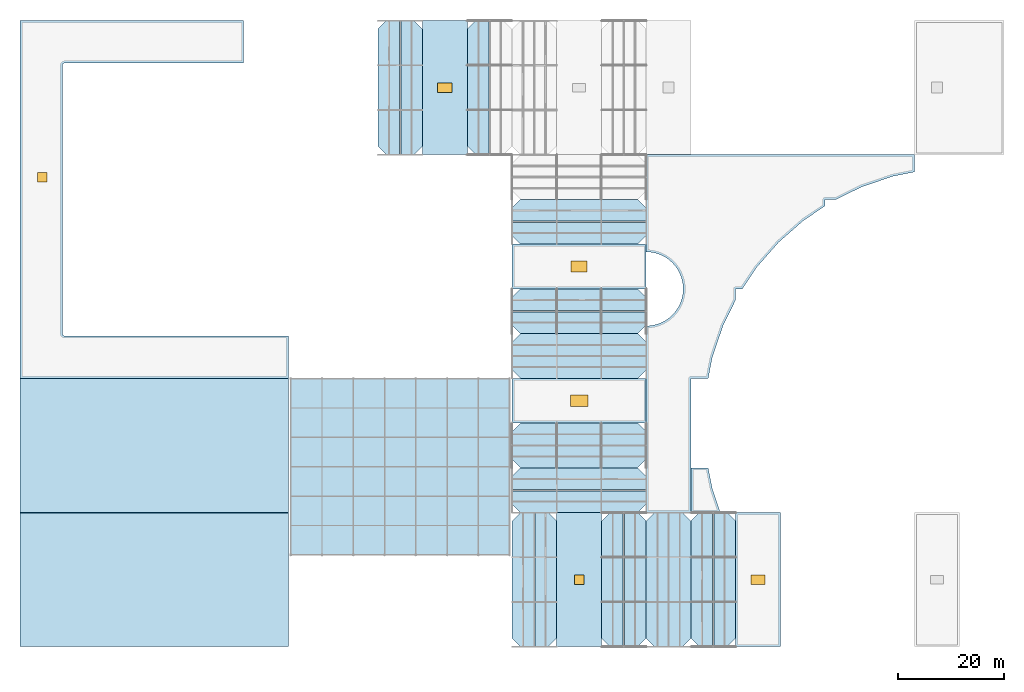
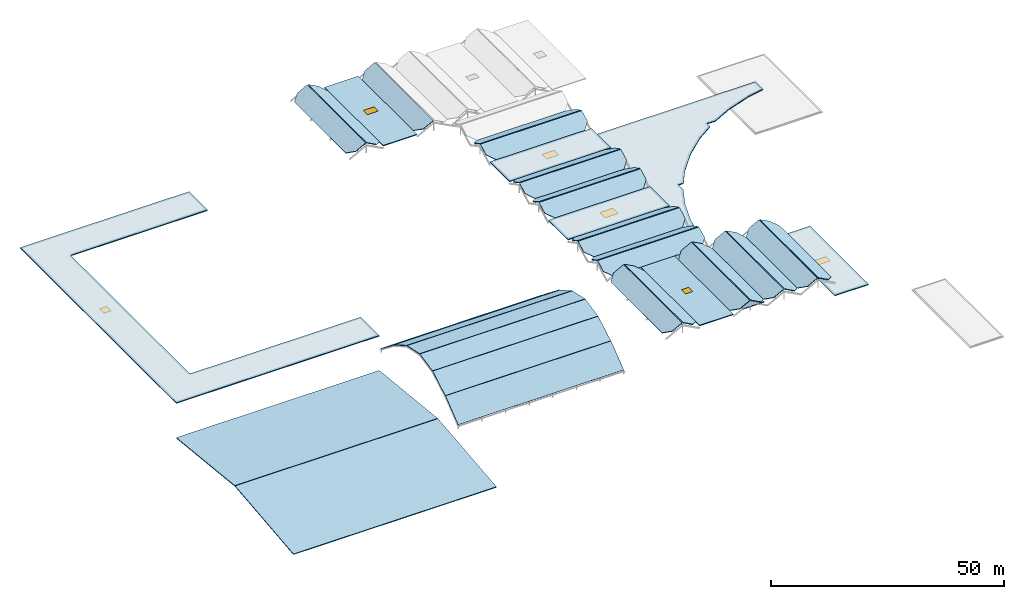
# One storey, part 75 of 82: 37 slabs, 6 windows, 6 openings.
"""IFC4 building model written with IfcOpenShell, lengths in metres."""

from ifc_helpers import new_model, si_unit, direction, frame, origin, origin_2d, place, context, subcontext, project, spatial, polyline, rectangle, outline, extrude, material, layer, layer_set, type_object, element, fill, save


model = new_model("IFC4")

# Units and contexts
model_context = context("Model", 3, precision=1e-05, world=origin(), true_north=direction((0.0, 1.0)))
body_context = subcontext(model_context, "Body", "Model", "MODEL_VIEW")
ifc_project = project(units=[si_unit("LENGTHUNIT", "METRE"), si_unit("AREAUNIT", "SQUARE_METRE"), si_unit("VOLUMEUNIT", "CUBIC_METRE"), si_unit("PLANEANGLEUNIT", "RADIAN"), si_unit("MASSUNIT", "GRAM", prefix="KILO")], contexts=[model_context])

# Site, building, storey
site_placement = place(None, origin())
site = spatial("IfcSite", under=ifc_project, at=site_placement, CompositionType="ELEMENT")
building_placement = place(site_placement, origin())
building = spatial("IfcBuilding", under=site, at=building_placement, Name="Bramfleet General Hospital", CompositionType="ELEMENT")
storey_placement = place(building_placement, frame((0.0, 0.0, 34.199951171875)))
storey = spatial("IfcBuildingStorey", under=building, at=storey_placement, Name="Roof", CompositionType="ELEMENT", Elevation=34.199951171875)

# Slabs
ifc_material_1 = material(Name="Steel S355", Category="steel")
ifc_layer_1 = layer(ifc_material_1, 0.159912109375, Name="SL-RF-160")
ifc_layer_set_1 = layer_set([ifc_layer_1], Name="Steel S355")
slab_type_1 = type_object("IfcSlabType", Name="SL-RF-160", PredefinedType="ROOF", material=ifc_layer_set_1)
slab_1_placement = place(storey_placement, frame((50.85009765625, 17.25, -19.08984375), z_axis=(0.0, -0.617536579776, 0.786542162022), x_axis=(1.0, 0.0, 0.0)))
element("IfcSlab", 1, at=slab_1_placement, inside=storey, type_object=slab_type_1, Name="Main Hall Space-Frame Roof Facet 1", PredefinedType="ROOF", context=body_context, shape_type="SweptSolid", body=[
    extrude(outline(polyline([(0.0, 0.0), (41.099853515625, 0.0), (41.099853515625, 6.962833989623278), (0.0, 6.962833989623278), (0.0, 0.0)])), origin(), (0.0, 0.0, -1.0), 0.159912109375),
])
slab_2_placement = place(storey_placement, frame((50.85009765625, 22.806640625, -14.7900390625), z_axis=(0.0, -0.50107763065, 0.865402338836), x_axis=(1.0, 0.0, 0.0)))
element("IfcSlab", 2, at=slab_2_placement, inside=storey, type_object=slab_type_1, Name="Main Hall Space-Frame Roof Facet 2", PredefinedType="ROOF", context=body_context, shape_type="SweptSolid", body=[
    extrude(outline(polyline([(0.0, 0.0), (41.099853515625, 0.0), (41.099853515625, 6.282358313752878), (0.0, 6.282358313752878), (0.0, 0.0)])), origin(), (0.0, 0.0, -1.0), 0.159912109375),
])
slab_3_placement = place(storey_placement, frame((50.85009765625, 28.3232421875, -11.64208984375), z_axis=(0.0, -0.207305476982, 0.978276259148), x_axis=(1.0, 0.0, 0.0)))
element("IfcSlab", 3, at=slab_3_placement, inside=storey, type_object=slab_type_1, Name="Main Hall Space-Frame Roof Facet 3", PredefinedType="ROOF", context=body_context, shape_type="SweptSolid", body=[
    extrude(outline(polyline([(0.0, 0.0), (41.099853515625, 0.0), (41.099853515625, 5.557497207239353), (0.0, 5.557497207239353), (0.0, 0.0)])), origin(), (0.0, 0.0, -1.0), 0.159912109375),
])
slab_4_placement = place(storey_placement, frame((50.85009765625, 33.840087890625, -10.489990234375), z_axis=(0.0, 0.207314386441, 0.978274371112), x_axis=(1.0, 0.0, 0.0)))
element("IfcSlab", 4, at=slab_4_placement, inside=storey, type_object=slab_type_1, Name="Main Hall Space-Frame Roof Facet 4", PredefinedType="ROOF", context=body_context, shape_type="SweptSolid", body=[
    extrude(outline(polyline([(0.0, 0.0), (41.099853515625, 0.0), (41.099853515625, 5.557258370492489), (0.0, 5.557258370492489), (0.0, 0.0)])), origin(), (0.0, 0.0, -1.0), 0.159912109375),
])
slab_5_placement = place(storey_placement, frame((50.85009765625, 39.356689453125, -11.64208984375), z_axis=(0.0, 0.501094482694, 0.865392581095), x_axis=(1.0, 0.0, 0.0)))
element("IfcSlab", 5, at=slab_5_placement, inside=storey, type_object=slab_type_1, Name="Main Hall Space-Frame Roof Facet 5", PredefinedType="ROOF", context=body_context, shape_type="SweptSolid", body=[
    extrude(outline(polyline([(0.0, 0.0), (41.099853515625, 0.0), (41.099853515625, 6.28214703507611), (0.0, 6.28214703507611), (0.0, 0.0)])), origin(), (0.0, 0.0, -1.0), 0.159912109375),
])
slab_6_placement = place(storey_placement, frame((50.85009765625, 44.873291015625, -14.7900390625), z_axis=(0.0, 0.617519549157, 0.786555532946), x_axis=(1.0, 0.0, 0.0)))
element("IfcSlab", 6, at=slab_6_placement, inside=storey, type_object=slab_type_1, Name="Main Hall Space-Frame Roof Facet 6", PredefinedType="ROOF", context=body_context, shape_type="SweptSolid", body=[
    extrude(outline(polyline([(0.0, 0.0), (41.099853515625, 0.0), (41.099853515625, 6.963026018150519), (0.0, 6.963026018150519), (0.0, 0.0)])), origin(), (0.0, 0.0, -1.0), 0.159912109375),
])
ifc_material_2 = material(Name="Precast concrete C40/50", Category="concrete")
ifc_layer_2 = layer(ifc_material_2, 0.175048828125, Name="SL-RF-175")
ifc_layer_set_2 = layer_set([ifc_layer_2], Name="Precast concrete C40/50")
slab_type_2 = type_object("IfcSlabType", Name="SL-RF-175", PredefinedType="ROOF", material=ifc_layer_set_2)
slab_7_placement = place(storey_placement, frame((85.60009765625, 92.39990234375, 0.850830078125), z_axis=(-0.469489559717, 0.0, 0.882938023485), x_axis=(0.882938023485, 0.0, 0.469489559717)))
element("IfcSlab", 7, at=slab_7_placement, inside=storey, type_object=slab_type_2, Name="Patient House PH-02 West Gable Roof", PredefinedType="ROOF", context=body_context, shape_type="SweptSolid", body=[
    extrude(outline(polyline([(0.0, 0.0), (2.814311694390942, 0.0), (2.814311694390942, 25.2001953125), (0.0, 25.2001953125), (-1.812242900766275, 23.60009765625), (-1.812242900766275, 1.60009765625), (0.0, 0.0)])), origin(), (0.0, 0.0, -1.0), 0.175048828125),
])
slab_8_placement = place(storey_placement, frame((110.800048828125, 0.0, 0.850830078125), z_axis=(-0.469489559718, 0.0, 0.882938023485), x_axis=(0.882938023485, 0.0, 0.469489559718)))
element("IfcSlab", 8, at=slab_8_placement, inside=storey, type_object=slab_type_2, Name="Patient House PH-06 West Gable Roof", PredefinedType="ROOF", context=body_context, shape_type="SweptSolid", body=[
    extrude(outline(polyline([(0.0, 0.0), (2.8143116943909425, 0.0), (2.8143116943909425, 25.199951171875), (0.0, 25.199951171875), (-1.8122429007662753, 23.60009765625), (-1.8122429007662753, 1.60009765625), (0.0, 0.0)])), origin(), (0.0, 0.0, -1.0), 0.175048828125),
])
slab_9_placement = place(storey_placement, frame((113.514892578125, 0.0, 2.172119140625), z_axis=(0.46946712823, 0.0, 0.88294995074), x_axis=(0.88294995074, 0.0, -0.46946712823)))
element("IfcSlab", 9, at=slab_9_placement, inside=storey, type_object=slab_type_2, Name="Patient House PH-06 East Gable Roof", PredefinedType="ROOF", context=body_context, shape_type="SweptSolid", body=[
    extrude(outline(polyline([(0.0, 0.0), (2.8145272574613127, 0.0), (4.626770157615226, 1.6000976562499998), (4.626770157615226, 23.600097656249996), (2.8145272574613127, 25.199951171874996), (0.0, 25.199951171874996), (0.0, 0.0)])), origin(), (0.0, 0.0, -1.0), 0.175048828125),
])
slab_10_placement = place(storey_placement, frame((127.60009765625, 0.0, 0.850830078125), z_axis=(-0.469489559718, 0.0, 0.882938023485), x_axis=(0.882938023485, 0.0, 0.469489559718)))
element("IfcSlab", 10, at=slab_10_placement, inside=storey, type_object=slab_type_2, Name="Patient House PH-08 West Gable Roof", PredefinedType="ROOF", context=body_context, shape_type="SweptSolid", body=[
    extrude(outline(polyline([(0.0, 0.0), (2.8143116943909425, 0.0), (2.8143116943909425, 25.199951171875), (0.0, 25.199951171875), (-1.8122429007662753, 23.60009765625), (-1.8122429007662753, 1.60009765625), (0.0, 0.0)])), origin(), (0.0, 0.0, -1.0), 0.175048828125),
])
slab_11_placement = place(storey_placement, frame((130.31494140625, 0.0, 2.172119140625), z_axis=(0.469488135461, 0.0, 0.882938780812), x_axis=(0.882938780812, 0.0, -0.469488135461)))
element("IfcSlab", 11, at=slab_11_placement, inside=storey, type_object=slab_type_2, Name="Patient House PH-08 East Gable Roof", PredefinedType="ROOF", context=body_context, shape_type="SweptSolid", body=[
    extrude(outline(polyline([(0.0, 0.0), (2.814527255614701, 0.0), (4.626554595151086, 1.6000976562500004), (4.626554595151086, 23.600097656250004), (2.814527255614701, 25.199951171875007), (0.0, 25.199951171875007), (0.0, 0.0)])), origin(), (0.0, 0.0, -1.0), 0.175048828125),
])
slab_12_placement = place(storey_placement, frame((94.0, 33.60009765625, 0.0), z_axis=(0.0, -0.469488135363, 0.882938780864), x_axis=(1.0, 0.0, 0.0)))
element("IfcSlab", 12, at=slab_12_placement, inside=storey, type_object=slab_type_2, Name="Patient House PH-10 South Gable Roof", PredefinedType="ROOF", context=body_context, shape_type="SweptSolid", body=[
    extrude(outline(polyline([(0.0, 0.0), (22.0, 0.0), (23.60009765625, 1.8120273395363722), (23.60009765625, 4.626554595151086), (-1.60009765625, 4.626554595151086), (-1.60009765625, 1.8120273395363722), (0.0, 0.0)])), origin(), (0.0, 0.0, -1.0), 0.175048828125),
])
slab_13_placement = place(storey_placement, frame((92.39990234375, 37.9150390625, 2.172119140625), z_axis=(0.0, 0.469489559717, 0.882938023485), x_axis=(1.0, 0.0, 0.0)))
element("IfcSlab", 13, at=slab_13_placement, inside=storey, type_object=slab_type_2, Name="Patient House PH-10 North Gable Roof", PredefinedType="ROOF", context=body_context, shape_type="SweptSolid", body=[
    extrude(outline(polyline([(0.0, 0.0), (25.2001953125, 0.0), (25.2001953125, 2.814311694390942), (23.60009765625, 4.626554595157217), (1.60009765625, 4.626554595157217), (0.0, 2.814311694390942), (0.0, 0.0)])), origin(), (0.0, 0.0, -1.0), 0.175048828125),
])
slab_14_placement = place(storey_placement, frame((94.0, 58.800048828125, 0.0), z_axis=(0.0, -0.469488135363, 0.882938780864), x_axis=(1.0, 0.0, 0.0)))
element("IfcSlab", 14, at=slab_14_placement, inside=storey, type_object=slab_type_2, Name="Patient House PH-12 South Gable Roof", PredefinedType="ROOF", context=body_context, shape_type="SweptSolid", body=[
    extrude(outline(polyline([(0.0, 0.0), (22.0, 0.0), (23.60009765625, 1.8120273395363722), (23.60009765625, 4.626554595151086), (-1.60009765625, 4.626554595151086), (-1.60009765625, 1.8120273395363722), (0.0, 0.0)])), origin(), (0.0, 0.0, -1.0), 0.175048828125),
])
slab_15_placement = place(storey_placement, frame((92.39990234375, 63.114990234375, 2.172119140625), z_axis=(0.0, 0.469488135363, 0.882938780864), x_axis=(1.0, 0.0, 0.0)))
element("IfcSlab", 15, at=slab_15_placement, inside=storey, type_object=slab_type_2, Name="Patient House PH-12 North Gable Roof", PredefinedType="ROOF", context=body_context, shape_type="SweptSolid", body=[
    extrude(outline(polyline([(0.0, 0.0), (25.2001953125, 0.0), (25.2001953125, 2.8145272556147134), (23.60009765625, 4.626554595151086), (1.60009765625, 4.626554595151086), (0.0, 2.8145272556147134), (0.0, 0.0)])), origin(), (0.0, 0.0, -1.0), 0.175048828125),
])
ifc_layer_3 = layer(ifc_material_2, 0.18994140625, Name="SL-RF-190")
ifc_layer_set_3 = layer_set([ifc_layer_3], Name="Precast concrete C40/50")
slab_type_3 = type_object("IfcSlabType", Name="SL-RF-190", PredefinedType="ROOF", material=ifc_layer_set_3)
slab_16_placement = place(storey_placement, frame((68.800048828125, 92.39990234375, 0.850830078125), z_axis=(-0.469489559717, 0.0, 0.882938023485), x_axis=(0.882938023485, 0.0, 0.469489559717)))
element("IfcSlab", 16, at=slab_16_placement, inside=storey, type_object=slab_type_3, Name="Patient House PH-01 West Gable Roof", PredefinedType="ROOF", context=body_context, shape_type="SweptSolid", body=[
    extrude(outline(polyline([(0.0, 0.0), (2.814311694390942, 0.0), (2.814311694390942, 25.2001953125), (0.0, 25.2001953125), (-1.812242900766275, 23.60009765625), (-1.812242900766275, 1.60009765625), (0.0, 0.0)])), origin(), (0.0, 0.0, -1.0), 0.18994140625),
])
slab_17_placement = place(storey_placement, frame((71.514892578125, 92.39990234375, 2.172119140625), z_axis=(0.469467128191, 0.0, 0.882949950761), x_axis=(0.882949950761, 0.0, -0.469467128191)))
element("IfcSlab", 17, at=slab_17_placement, inside=storey, type_object=slab_type_3, Name="Patient House PH-01 East Gable Roof", PredefinedType="ROOF", context=body_context, shape_type="SweptSolid", body=[
    extrude(outline(polyline([(0.0, 0.0), (2.8145272574613154, 0.0), (4.626770157615226, 1.60009765625), (4.626770157615226, 23.60009765625), (2.8145272574613154, 25.2001953125), (0.0, 25.2001953125), (0.0, 0.0)])), origin(), (0.0, 0.0, -1.0), 0.18994140625),
])
slab_18_placement = place(storey_placement, frame((94.0, 0.0, 0.850830078125), z_axis=(-0.46946712823, 0.0, 0.88294995074), x_axis=(0.88294995074, 0.0, 0.46946712823)))
element("IfcSlab", 18, at=slab_18_placement, inside=storey, type_object=slab_type_3, Name="Patient House PH-05 West Gable Roof", PredefinedType="ROOF", context=body_context, shape_type="SweptSolid", body=[
    extrude(outline(polyline([(0.0, 0.0), (2.8145272574613127, 0.0), (2.8145272574613127, 25.199951171874996), (0.0, 25.199951171874996), (-1.8122429001539129, 23.600097656249996), (-1.8122429001539129, 1.6000976562499998), (0.0, 0.0)])), origin(), (0.0, 0.0, -1.0), 0.18994140625),
])
slab_19_placement = place(storey_placement, frame((96.715087890625, 0.0, 2.172119140625), z_axis=(0.469489559718, 0.0, 0.882938023485), x_axis=(0.882938023485, 0.0, -0.469489559718)))
element("IfcSlab", 19, at=slab_19_placement, inside=storey, type_object=slab_type_3, Name="Patient House PH-05 East Gable Roof", PredefinedType="ROOF", context=body_context, shape_type="SweptSolid", body=[
    extrude(outline(polyline([(0.0, 0.0), (2.8143116943909425, 0.0), (4.626554595157217, 1.60009765625), (4.626554595157217, 23.60009765625), (2.8143116943909425, 25.199951171875), (0.0, 25.199951171875), (0.0, 0.0)])), origin(), (0.0, 0.0, -1.0), 0.18994140625),
])
slab_20_placement = place(storey_placement, frame((119.199951171875, 0.0, 0.850830078125), z_axis=(-0.469488135461, 0.0, 0.882938780812), x_axis=(0.882938780812, 0.0, 0.469488135461)))
element("IfcSlab", 20, at=slab_20_placement, inside=storey, type_object=slab_type_3, Name="Patient House PH-07 West Gable Roof", PredefinedType="ROOF", context=body_context, shape_type="SweptSolid", body=[
    extrude(outline(polyline([(0.0, 0.0), (2.814527255614701, 0.0), (2.814527255614701, 25.199951171875007), (0.0, 25.199951171875007), (-1.8120273395363855, 23.600097656250004), (-1.8120273395363855, 1.6000976562500004), (0.0, 0.0)])), origin(), (0.0, 0.0, -1.0), 0.18994140625),
])
slab_21_placement = place(storey_placement, frame((121.9150390625, 0.0, 2.172119140625), z_axis=(0.469489559718, 0.0, 0.882938023485), x_axis=(0.882938023485, 0.0, -0.469489559718)))
element("IfcSlab", 21, at=slab_21_placement, inside=storey, type_object=slab_type_3, Name="Patient House PH-07 East Gable Roof", PredefinedType="ROOF", context=body_context, shape_type="SweptSolid", body=[
    extrude(outline(polyline([(0.0, 0.0), (2.8143116943909425, 0.0), (4.626554595157217, 1.60009765625), (4.626554595157217, 23.60009765625), (2.8143116943909425, 25.199951171875), (0.0, 25.199951171875), (0.0, 0.0)])), origin(), (0.0, 0.0, -1.0), 0.18994140625),
])
slab_22_placement = place(storey_placement, frame((94.0, 25.199951171875, 0.0), z_axis=(0.0, -0.469489559717, 0.882938023485), x_axis=(1.0, 0.0, 0.0)))
element("IfcSlab", 22, at=slab_22_placement, inside=storey, type_object=slab_type_3, Name="Patient House PH-09 South Gable Roof", PredefinedType="ROOF", context=body_context, shape_type="SweptSolid", body=[
    extrude(outline(polyline([(0.0, 0.0), (22.0, 0.0), (23.60009765625, 1.812242900766275), (23.60009765625, 4.626554595157217), (-1.60009765625, 4.626554595157217), (-1.60009765625, 1.812242900766275), (0.0, 0.0)])), origin(), (0.0, 0.0, -1.0), 0.18994140625),
])
slab_23_placement = place(storey_placement, frame((92.39990234375, 29.514892578125, 2.172119140625), z_axis=(0.0, 0.469467128191, 0.882949950761), x_axis=(1.0, 0.0, 0.0)))
element("IfcSlab", 23, at=slab_23_placement, inside=storey, type_object=slab_type_3, Name="Patient House PH-09 North Gable Roof", PredefinedType="ROOF", context=body_context, shape_type="SweptSolid", body=[
    extrude(outline(polyline([(0.0, 0.0), (25.2001953125, 0.0), (25.2001953125, 2.814527257461315), (23.60009765625, 4.626770157615225), (1.60009765625, 4.626770157615225), (0.0, 2.814527257461315), (0.0, 0.0)])), origin(), (0.0, 0.0, -1.0), 0.18994140625),
])
slab_24_placement = place(storey_placement, frame((94.0, 50.39990234375, 0.0), z_axis=(0.0, -0.469467128191, 0.882949950761), x_axis=(1.0, 0.0, 0.0)))
element("IfcSlab", 24, at=slab_24_placement, inside=storey, type_object=slab_type_3, Name="Patient House PH-11 South Gable Roof", PredefinedType="ROOF", context=body_context, shape_type="SweptSolid", body=[
    extrude(outline(polyline([(0.0, 0.0), (22.0, 0.0), (23.60009765625, 1.8122429001539107), (23.60009765625, 4.626770157615225), (-1.60009765625, 4.626770157615225), (-1.60009765625, 1.8122429001539107), (0.0, 0.0)])), origin(), (0.0, 0.0, -1.0), 0.18994140625),
])
slab_25_placement = place(storey_placement, frame((92.39990234375, 54.715087890625, 2.172119140625), z_axis=(0.0, 0.469489559717, 0.882938023485), x_axis=(1.0, 0.0, 0.0)))
element("IfcSlab", 25, at=slab_25_placement, inside=storey, type_object=slab_type_3, Name="Patient House PH-11 North Gable Roof", PredefinedType="ROOF", context=body_context, shape_type="SweptSolid", body=[
    extrude(outline(polyline([(0.0, 0.0), (25.2001953125, 0.0), (25.2001953125, 2.814311694390942), (23.60009765625, 4.626554595157217), (1.60009765625, 4.626554595157217), (0.0, 2.814311694390942), (0.0, 0.0)])), origin(), (0.0, 0.0, -1.0), 0.18994140625),
])
slab_26_placement = place(storey_placement, frame((94.0, 75.60009765625, 0.0), z_axis=(0.0, -0.469488135363, 0.882938780864), x_axis=(1.0, 0.0, 0.0)))
element("IfcSlab", 26, at=slab_26_placement, inside=storey, type_object=slab_type_3, Name="Patient House PH-13 South Gable Roof", PredefinedType="ROOF", context=body_context, shape_type="SweptSolid", body=[
    extrude(outline(polyline([(0.0, 0.0), (22.0, 0.0), (23.60009765625, 1.8120273395363722), (23.60009765625, 4.626554595151086), (-1.60009765625, 4.626554595151086), (-1.60009765625, 1.8120273395363722), (0.0, 0.0)])), origin(), (0.0, 0.0, -1.0), 0.18994140625),
])
slab_27_placement = place(storey_placement, frame((92.39990234375, 79.9150390625, 2.172119140625), z_axis=(0.0, 0.469489559717, 0.882938023485), x_axis=(1.0, 0.0, 0.0)))
element("IfcSlab", 27, at=slab_27_placement, inside=storey, type_object=slab_type_3, Name="Patient House PH-13 North Gable Roof", PredefinedType="ROOF", context=body_context, shape_type="SweptSolid", body=[
    extrude(outline(polyline([(0.0, 0.0), (25.2001953125, 0.0), (25.2001953125, 2.814311694390942), (23.60009765625, 4.626554595157217), (1.60009765625, 4.626554595157217), (0.0, 2.814311694390942), (0.0, 0.0)])), origin(), (0.0, 0.0, -1.0), 0.18994140625),
])
ifc_material_3 = material(Name="Concrete C35/45", Category="concrete")
ifc_layer_4 = layer(ifc_material_3, 0.219970703125, Name="SL-RF-220")
ifc_layer_set_4 = layer_set([ifc_layer_4], Name="Concrete C35/45")
slab_type_4 = type_object("IfcSlabType", Name="SL-RF-220", PredefinedType="ROOF", material=ifc_layer_set_4)
slab_28_placement = place(storey_placement, frame((0.0, 0.0, -20.02001953125)))
element("IfcSlab", 28, at=slab_28_placement, inside=storey, type_object=slab_type_4, Name="Level L02 Step-Back Flat Roof 1", PredefinedType="ROOF", context=body_context, shape_type="SweptSolid", body=[
    extrude(outline(polyline([(126.0, 33.60009765625), (129.2353515625, 33.60009765625), (130.03564453125, 29.57666015625), (131.521240234375, 25.199951171875), (126.0, 25.199951171875), (126.0, 33.60009765625)])), origin(), (0.0, 0.0, 1.0), 0.219970703125),
])
for number, where, z_axis, x_axis, name in (
    (29, (0.0, 0.0, -24.75), (0.0, -0.104736545834, 0.994500003), (1.0, 0.0, 0.0), "Emergency Department South Folded Roof Plane"),
    (30, (0.0, 25.25, -22.101318359375), (0.0, 0.104736545834, 0.994500003), (1.0, 0.0, 0.0), "Emergency Department North Folded Roof Plane"),
):
    element("IfcSlab", number, at=place(storey_placement, frame(where, z_axis=z_axis, x_axis=x_axis)), inside=storey, type_object=slab_type_4, Name=name, PredefinedType="ROOF", context=body_context, shape_type="SweptSolid", body=[
        extrude(outline(polyline([(0.0, 0.0), (50.39990234375, 0.0), (50.39990234375, 25.288991722359075), (0.0, 25.288991722359075), (0.0, 0.0)])), origin(), (0.0, 0.0, -1.0), 0.219970703125),
    ])

# Slab, opening, window
slab_29_placement = place(storey_placement, frame((0.0, 0.0, -4.119873046875)))
slab_29 = element("IfcSlab", 31, at=slab_29_placement, inside=storey, type_object=slab_type_4, Name="Level 06 Step-Back Flat Roof 1", PredefinedType="ROOF", context=body_context, shape_type="SweptSolid", body=[
    extrude(outline(polyline([(142.800048828125, 16.800048828125), (142.800048828125, 8.39990234375), (142.800048828125, 0.0), (134.39990234375, 0.0), (134.39990234375, 8.39990234375), (134.39990234375, 16.800048828125), (134.39990234375, 25.199951171875), (142.800048828125, 25.199951171875), (142.800048828125, 16.800048828125)])), origin(), (0.0, 0.0, 1.0), 0.219970703125),
])
opening_1_placement = place(slab_29_placement, frame((138.60009765625, 12.60009765625, -0.010009765625)))
opening_1 = element("IfcOpeningElement", 32, at=opening_1_placement, cuts=slab_29, Name="Opening SK-04", PredefinedType="OPENING", context=body_context, shape_type="SweptSolid", body=[
    extrude(rectangle(XDim=2.699951171875, YDim=1.800048828125, at=origin_2d()), origin(), (0.0, 0.0, 1.0), 0.239990234375),
])
ifc_material_4 = material(Name="Thermally broken aluminium and laminated solar glass", Category="aluminium")
window_type_1 = type_object("IfcWindowType", Name="SKY-SK-04", PartitioningType="SINGLE_PANEL", PredefinedType="SKYLIGHT", material=ifc_material_4)
window_1_placement = place(slab_29_placement, frame((138.60009765625, 12.60009765625, 0.169921875)))
window_1 = element("IfcWindow", 33, at=window_1_placement, inside=storey, type_object=window_type_1, Name="Roof Clinical Skylight 4", OverallHeight=1.800048828125, OverallWidth=2.699951171875, PartitioningType="SINGLE_PANEL", PredefinedType="SKYLIGHT", context=body_context, shape_type="SweptSolid", body=[
    extrude(rectangle(XDim=2.699951171875, YDim=1.800048828125, at=origin_2d()), origin(), (0.0, 0.0, 1.0), 0.050048828125),
])
fill(opening_1, window_1)

# Slab
ifc_layer_5 = layer(ifc_material_3, 0.239990234375, Name="SL-RF-240")
ifc_layer_set_5 = layer_set([ifc_layer_5], Name="Concrete C35/45")
slab_type_5 = type_object("IfcSlabType", Name="SL-RF-240", PredefinedType="ROOF", material=ifc_layer_set_5)
slab_30_placement = place(storey_placement, frame((0.0, 0.0, -15.83984375)))
element("IfcSlab", 34, at=slab_30_placement, inside=storey, type_object=slab_type_5, Name="Diagnostic Base Flat Roof 1", PredefinedType="ROOF", context=body_context, shape_type="SweptSolid", body=[
    extrude(outline(polyline([(147.179443359375, 80.0810546875), (142.458984375, 75.941162109375), (138.319091796875, 71.220458984375), (135.632568359375, 67.199951171875), (134.39990234375, 67.199951171875), (134.39990234375, 65.12646484375), (132.0537109375, 60.368896484375), (130.03564453125, 54.42333984375), (129.2353515625, 50.39990234375), (126.0, 50.39990234375), (126.0, 42.0), (126.0, 33.60009765625), (126.0, 25.199951171875), (117.60009765625, 25.199951171875), (117.60009765625, 33.60009765625), (117.60009765625, 42.0), (117.60009765625, 50.39990234375), (117.60009765625, 58.800048828125), (117.60009765625, 60.25), (118.28125, 60.283447265625), (118.955810546875, 60.383544921875), (119.617431640625, 60.54931640625), (120.259521484375, 60.779052734375), (120.876220703125, 61.070556640625), (121.461181640625, 61.42138671875), (122.009033203125, 61.82763671875), (122.514404296875, 62.28564453125), (122.972412109375, 62.791015625), (123.378662109375, 63.3388671875), (123.7294921875, 63.923828125), (124.02099609375, 64.540283203125), (124.250732421875, 65.1826171875), (124.41650390625, 65.843994140625), (124.5166015625, 66.518798828125), (124.550048828125, 67.199951171875), (124.5166015625, 67.881103515625), (124.41650390625, 68.555908203125), (124.250732421875, 69.217529296875), (124.02099609375, 69.859619140625), (123.7294921875, 70.476318359375), (123.378662109375, 71.061279296875), (122.972412109375, 71.60888671875), (122.514404296875, 72.114501953125), (122.009033203125, 72.572509765625), (121.461181640625, 72.978759765625), (120.876220703125, 73.329345703125), (120.259521484375, 73.62109375), (119.617431640625, 73.8505859375), (118.955810546875, 74.0166015625), (118.28125, 74.116455078125), (117.60009765625, 74.14990234375), (117.60009765625, 75.60009765625), (117.60009765625, 84.0), (117.60009765625, 92.39990234375), (126.0, 92.39990234375), (134.39990234375, 92.39990234375), (142.800048828125, 92.39990234375), (151.199951171875, 92.39990234375), (159.60009765625, 92.39990234375), (168.0, 92.39990234375), (168.0, 89.164794921875), (163.976806640625, 88.364501953125), (158.03125, 86.34619140625), (153.273681640625, 84.0), (151.199951171875, 84.0), (151.199951171875, 82.767333984375), (147.179443359375, 80.0810546875)])), origin(), (0.0, 0.0, 1.0), 0.239990234375),
])

# Slab, opening, window
slab_31_placement = place(storey_placement, frame((0.0, 0.0, -15.83984375)))
slab_31 = element("IfcSlab", 35, at=slab_31_placement, inside=storey, type_object=slab_type_5, Name="Diagnostic Base Flat Roof 2", PredefinedType="ROOF", context=body_context, shape_type="SweptSolid", body=[
    extrude(outline(polyline([(0.0, 109.199951171875), (0.0, 117.60009765625), (8.39990234375, 117.60009765625), (16.800048828125, 117.60009765625), (25.199951171875, 117.60009765625), (33.60009765625, 117.60009765625), (42.0, 117.60009765625), (42.0, 109.6201171875), (8.39990234375, 109.6201171875), (8.35888671875, 109.617919921875), (8.318115234375, 109.61181640625), (8.278076171875, 109.601806640625), (8.2392578125, 109.587890625), (8.201904296875, 109.5703125), (8.166748046875, 109.54931640625), (8.133544921875, 109.524658203125), (8.10302734375, 109.4970703125), (8.0751953125, 109.46630859375), (8.05078125, 109.433349609375), (8.029541015625, 109.39794921875), (8.011962890625, 109.360595703125), (7.998046875, 109.322021484375), (7.988037109375, 109.281982421875), (7.98193359375, 109.2412109375), (7.97998046875, 109.199951171875), (7.97998046875, 58.800048828125), (7.98193359375, 58.7587890625), (7.988037109375, 58.718017578125), (7.998046875, 58.677978515625), (8.011962890625, 58.639404296875), (8.029541015625, 58.60205078125), (8.05078125, 58.566650390625), (8.0751953125, 58.53369140625), (8.10302734375, 58.5029296875), (8.133544921875, 58.475341796875), (8.166748046875, 58.45068359375), (8.201904296875, 58.4296875), (8.2392578125, 58.412109375), (8.278076171875, 58.398193359375), (8.318115234375, 58.38818359375), (8.35888671875, 58.382080078125), (8.39990234375, 58.3798828125), (50.39990234375, 58.3798828125), (50.39990234375, 50.39990234375), (42.0, 50.39990234375), (33.60009765625, 50.39990234375), (25.199951171875, 50.39990234375), (16.800048828125, 50.39990234375), (8.39990234375, 50.39990234375), (0.0, 50.39990234375), (0.0, 58.800048828125), (0.0, 67.199951171875), (0.0, 75.60009765625), (0.0, 84.0), (0.0, 92.39990234375), (0.0, 100.800048828125), (0.0, 109.199951171875)])), origin(), (0.0, 0.0, 1.0), 0.239990234375),
])
opening_2_placement = place(slab_31_placement, frame((4.199951171875, 88.199951171875, -0.010009765625)))
opening_2 = element("IfcOpeningElement", 36, at=opening_2_placement, cuts=slab_31, Name="Opening SK-01", PredefinedType="OPENING", context=body_context, shape_type="SweptSolid", body=[
    extrude(rectangle(XDim=1.800048828125, YDim=1.800048828125, at=origin_2d()), origin(), (0.0, 0.0, 1.0), 0.260009765625),
])
window_type_2 = type_object("IfcWindowType", Name="SKY-SK-01", PartitioningType="SINGLE_PANEL", PredefinedType="SKYLIGHT", material=ifc_material_4)
window_2_placement = place(slab_31_placement, frame((4.199951171875, 88.199951171875, 0.18994140625)))
window_2 = element("IfcWindow", 37, at=window_2_placement, inside=storey, type_object=window_type_2, Name="Roof Clinical Skylight 1", OverallHeight=1.800048828125, OverallWidth=1.800048828125, PartitioningType="SINGLE_PANEL", PredefinedType="SKYLIGHT", context=body_context, shape_type="SweptSolid", body=[
    extrude(rectangle(XDim=1.800048828125, YDim=1.800048828125, at=origin_2d()), origin(), (0.0, 0.0, 1.0), 0.050048828125),
])
fill(opening_2, window_2)

slab_32_placement = place(storey_placement, frame((0.0, 0.0, -0.239990234375)))
slab_32 = element("IfcSlab", 38, at=slab_32_placement, inside=storey, type_object=slab_type_5, Name="Nurse-Station Link Flat Roof 1", PredefinedType="ROOF", context=body_context, shape_type="SweptSolid", body=[
    extrude(outline(polyline([(92.39990234375, 75.60009765625), (92.39990234375, 75.60009765625), (117.60009765625, 75.60009765625), (117.60009765625, 75.60009765625), (117.60009765625, 67.199951171875), (92.39990234375, 67.199951171875), (92.39990234375, 75.60009765625)])), origin(), (0.0, 0.0, 1.0), 0.239990234375),
])
opening_3_placement = place(slab_32_placement, frame((105.0, 71.39990234375, -0.010009765625)))
opening_3 = element("IfcOpeningElement", 39, at=opening_3_placement, cuts=slab_32, Name="Opening SK-05", PredefinedType="OPENING", context=body_context, shape_type="SweptSolid", body=[
    extrude(rectangle(XDim=3.0, YDim=2.0, at=origin_2d()), origin(), (0.0, 0.0, 1.0), 0.260009765625),
])
window_type_3 = type_object("IfcWindowType", Name="SKY-SK-05", PartitioningType="SINGLE_PANEL", PredefinedType="SKYLIGHT", material=ifc_material_4)
window_3_placement = place(slab_32_placement, frame((105.0, 71.39990234375, 0.18994140625)))
window_3 = element("IfcWindow", 40, at=window_3_placement, inside=storey, type_object=window_type_3, Name="Roof Clinical Skylight 5", OverallHeight=2.0, OverallWidth=3.0, PartitioningType="SINGLE_PANEL", PredefinedType="SKYLIGHT", context=body_context, shape_type="SweptSolid", body=[
    extrude(rectangle(XDim=3.0, YDim=2.0, at=origin_2d()), origin(), (0.0, 0.0, 1.0), 0.050048828125),
])
fill(opening_3, window_3)

slab_33_placement = place(storey_placement, frame((0.0, 0.0, -0.239990234375)))
slab_33 = element("IfcSlab", 41, at=slab_33_placement, inside=storey, type_object=slab_type_5, Name="Nurse-Station Link Flat Roof 2", PredefinedType="ROOF", context=body_context, shape_type="SweptSolid", body=[
    extrude(outline(polyline([(92.39990234375, 50.39990234375), (117.60009765625, 50.39990234375), (117.60009765625, 50.39990234375), (117.60009765625, 42.0), (92.39990234375, 42.0), (92.39990234375, 50.39990234375), (92.39990234375, 50.39990234375)])), origin(), (0.0, 0.0, 1.0), 0.239990234375),
])
opening_4_placement = place(slab_33_placement, frame((105.0, 46.199951171875, -0.010009765625)))
opening_4 = element("IfcOpeningElement", 42, at=opening_4_placement, cuts=slab_33, Name="Opening SK-06", PredefinedType="OPENING", context=body_context, shape_type="SweptSolid", body=[
    extrude(rectangle(XDim=3.300048828125, YDim=2.199951171875, at=origin_2d()), origin(), (0.0, 0.0, 1.0), 0.260009765625),
])
window_type_4 = type_object("IfcWindowType", Name="SKY-SK-06", PartitioningType="SINGLE_PANEL", PredefinedType="SKYLIGHT", material=ifc_material_4)
window_4_placement = place(slab_33_placement, frame((105.0, 46.199951171875, 0.18994140625)))
window_4 = element("IfcWindow", 43, at=window_4_placement, inside=storey, type_object=window_type_4, Name="Roof Clinical Skylight 6", OverallHeight=2.199951171875, OverallWidth=3.300048828125, PartitioningType="SINGLE_PANEL", PredefinedType="SKYLIGHT", context=body_context, shape_type="SweptSolid", body=[
    extrude(rectangle(XDim=3.300048828125, YDim=2.199951171875, at=origin_2d()), origin(), (0.0, 0.0, 1.0), 0.050048828125),
])
fill(opening_4, window_4)

slab_34_placement = place(storey_placement, frame((0.0, 0.0, -0.239990234375)))
slab_34 = element("IfcSlab", 44, at=slab_34_placement, inside=storey, type_object=slab_type_5, Name="Nurse-Station Link Flat Roof 3", PredefinedType="ROOF", context=body_context, shape_type="SweptSolid", body=[
    extrude(outline(polyline([(100.800048828125, 0.0), (100.800048828125, 25.199951171875), (109.199951171875, 25.199951171875), (109.199951171875, 0.0), (100.800048828125, 0.0)])), origin(), (0.0, 0.0, 1.0), 0.239990234375),
])
opening_5_placement = place(slab_34_placement, frame((105.0, 12.60009765625, -0.010009765625)))
opening_5 = element("IfcOpeningElement", 45, at=opening_5_placement, cuts=slab_34, Name="Opening SK-01", PredefinedType="OPENING", context=body_context, shape_type="SweptSolid", body=[
    extrude(rectangle(XDim=1.800048828125, YDim=1.800048828125, at=origin_2d()), origin(), (0.0, 0.0, 1.0), 0.260009765625),
])
window_5_placement = place(slab_34_placement, frame((105.0, 12.60009765625, 0.18994140625)))
window_5 = element("IfcWindow", 46, at=window_5_placement, inside=storey, type_object=window_type_2, Name="Roof Clinical Skylight 7", OverallHeight=1.800048828125, OverallWidth=1.800048828125, PartitioningType="SINGLE_PANEL", PredefinedType="SKYLIGHT", context=body_context, shape_type="SweptSolid", body=[
    extrude(rectangle(XDim=1.800048828125, YDim=1.800048828125, at=origin_2d()), origin(), (0.0, 0.0, 1.0), 0.050048828125),
])
fill(opening_5, window_5)

slab_35_placement = place(storey_placement, frame((0.0, 0.0, -0.239990234375)))
slab_35 = element("IfcSlab", 47, at=slab_35_placement, inside=storey, type_object=slab_type_5, Name="Nurse-Station Link Flat Roof 6", PredefinedType="ROOF", context=body_context, shape_type="SweptSolid", body=[
    extrude(outline(polyline([(75.60009765625, 92.39990234375), (75.60009765625, 117.60009765625), (84.0, 117.60009765625), (84.0, 92.39990234375), (75.60009765625, 92.39990234375)])), origin(), (0.0, 0.0, 1.0), 0.239990234375),
])
opening_6_placement = place(slab_35_placement, frame((79.800048828125, 105.0, -0.010009765625)))
opening_6 = element("IfcOpeningElement", 48, at=opening_6_placement, cuts=slab_35, Name="Opening SK-04", PredefinedType="OPENING", context=body_context, shape_type="SweptSolid", body=[
    extrude(rectangle(XDim=2.699951171875, YDim=1.800048828125, at=origin_2d()), origin(), (0.0, 0.0, 1.0), 0.260009765625),
])
window_6_placement = place(slab_35_placement, frame((79.800048828125, 105.0, 0.18994140625)))
window_6 = element("IfcWindow", 49, at=window_6_placement, inside=storey, type_object=window_type_1, Name="Roof Clinical Skylight 10", OverallHeight=1.800048828125, OverallWidth=2.699951171875, PartitioningType="SINGLE_PANEL", PredefinedType="SKYLIGHT", context=body_context, shape_type="SweptSolid", body=[
    extrude(rectangle(XDim=2.699951171875, YDim=1.800048828125, at=origin_2d()), origin(), (0.0, 0.0, 1.0), 0.050048828125),
])
fill(opening_6, window_6)

save(model, "model.ifc")
